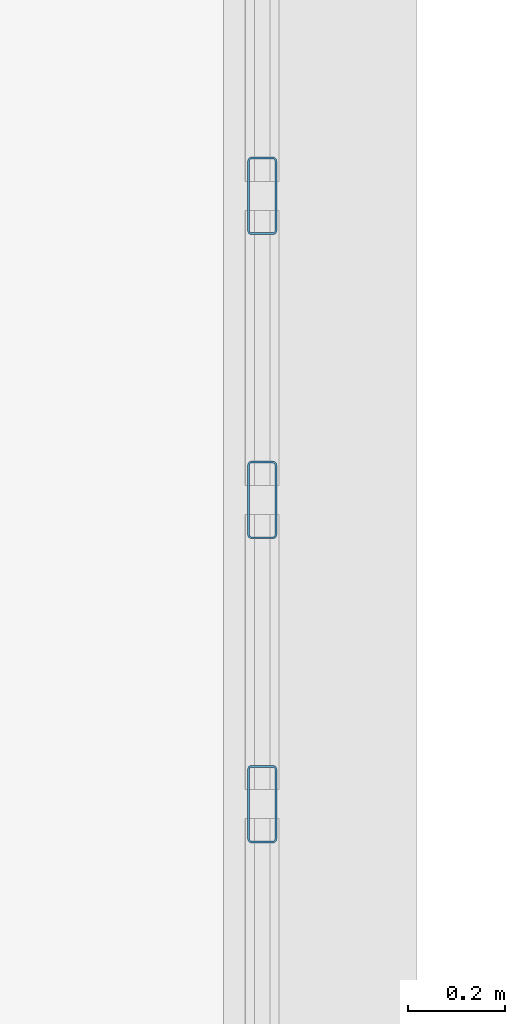
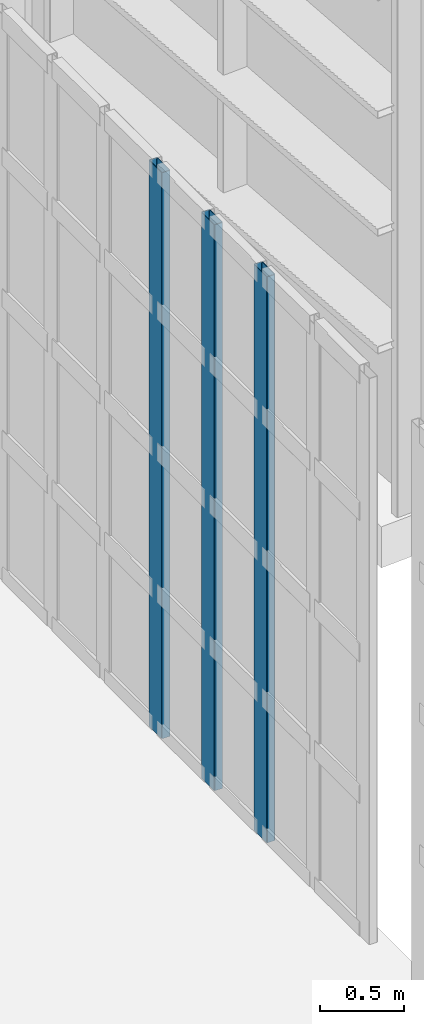
# One storey, part 186 of 372: 3 members, 1 element without a shape of its own.
"""IFC4 building model written with IfcOpenShell, lengths in metres."""

import ifcopenshell
import ifcopenshell.guid

model = None  # the IFC model being written
_history = None  # IfcOwnerHistory: only IFC2X3 demands one
_inside = {}  # id of a spatial element -> (the spatial element, [elements in it])
_under = {}  # id of a project, library or spatial element -> (it, [spatial elements below it])
_declared = {}  # id of a project -> (the project, [libraries it declares])
_typed = {}  # id of a type object -> (the type object, [elements of that type])
_made_of = {}  # id of a material, layer set ... -> (it, [elements and type objects made of it])


def new_model(schema):
    """Start an empty IFC model of exactly this schema.

    Asked for "IFC4X3", IfcOpenShell would pick the latest addendum, in which some entities
    have other attributes; the version numbers below select the first issue.
    IFC2X3 requires an IfcOwnerHistory on every rooted entity: one is made here for all.
    """
    global model, _history
    if schema == "IFC4X3":
        model = ifcopenshell.file(schema_version=(4, 3, 0, 0))
    else:
        model = ifcopenshell.file(schema=schema)
    _inside.clear()
    _under.clear()
    _declared.clear()
    _typed.clear()
    _made_of.clear()
    _history = None
    if model.schema == "IFC2X3":
        org = make("IfcOrganization", Name="unknown")
        user = make(
            "IfcPersonAndOrganization",
            ThePerson=make("IfcPerson", FamilyName="unknown"),
            TheOrganization=org,
        )
        app = make(
            "IfcApplication",
            ApplicationDeveloper=org,
            Version="unknown",
            ApplicationFullName="unknown",
            ApplicationIdentifier="unknown",
        )
        _history = make(
            "IfcOwnerHistory",
            OwningUser=user,
            OwningApplication=app,
            ChangeAction="ADDED",
            CreationDate=0,
        )
    return model


def make(cls, **values):
    """One entity of the class cls with the attributes given. An attribute that is None is left unset."""
    return model.create_entity(
        cls, **{name: value for name, value in values.items() if value is not None}
    )


def rooted(cls, **values):
    """An entity with a GlobalId (a new one), such as an element, a storey or a relation."""
    return make(cls, GlobalId=ifcopenshell.guid.new(), OwnerHistory=_history, **values)


def si_unit(unit_type, name, prefix=None):
    """IfcSIUnit, for example si_unit("LENGTHUNIT", "METRE", prefix="MILLI")."""
    return make("IfcSIUnit", UnitType=unit_type, Prefix=prefix, Name=name)


def assignment(units):
    """IfcUnitAssignment: the units of a project."""
    return None if units is None else make("IfcUnitAssignment", Units=units)


def point(xyz):
    """IfcCartesianPoint."""
    return None if xyz is None else make("IfcCartesianPoint", Coordinates=xyz)


def direction(xyz):
    """IfcDirection."""
    return None if xyz is None else make("IfcDirection", DirectionRatios=xyz)


def frame(location, z_axis=None, x_axis=None):
    """IfcAxis2Placement3D, a coordinate frame: its origin and axes. An axis left out is left unset."""
    return make(
        "IfcAxis2Placement3D",
        Location=point(location),
        Axis=direction(z_axis),
        RefDirection=direction(x_axis),
    )


def frame_2d(location, x_axis=None):
    """IfcAxis2Placement2D, a coordinate frame in the plane: its origin and x axis."""
    return make(
        "IfcAxis2Placement2D", Location=point(location), RefDirection=direction(x_axis)
    )


def origin():
    """The frame at (0, 0, 0) with its axes left unset."""
    return frame((0.0, 0.0, 0.0))


def origin_2d():
    """The frame at (0, 0) in the plane with its x axis left unset."""
    return frame_2d((0.0, 0.0))


def place(relative_to, where):
    """IfcLocalPlacement: puts the frame where relative to a parent placement (None: the world)."""
    return make(
        "IfcLocalPlacement", PlacementRelTo=relative_to, RelativePlacement=where
    )


def context(
    kind, dimensions, precision=None, world=None, true_north=None, identifier=None
):
    """IfcGeometricRepresentationContext, for example the 3D "Model" context."""
    return make(
        "IfcGeometricRepresentationContext",
        ContextIdentifier=identifier,
        ContextType=kind,
        CoordinateSpaceDimension=dimensions,
        Precision=precision,
        WorldCoordinateSystem=world,
        TrueNorth=true_north,
    )


def subcontext(parent, identifier, kind, view, scale=None):
    """IfcGeometricRepresentationSubContext, for example "Body" below "Model"."""
    return make(
        "IfcGeometricRepresentationSubContext",
        ContextIdentifier=identifier,
        ContextType=kind,
        ParentContext=parent,
        TargetScale=scale,
        TargetView=view,
    )


def project(units=None, contexts=None):
    """IfcProject with its units and contexts."""
    return rooted(
        "IfcProject",
        Name="project",
        RepresentationContexts=contexts,
        UnitsInContext=assignment(units),
    )


def spatial(cls, under=None, at=None, **own):
    """A site, building, storey or space (cls), placed at a placement, below another one or the project."""
    s = rooted(cls, ObjectPlacement=at, **own)
    if under is not None:
        _under.setdefault(under.id(), (under, []))[1].append(s)
    return s


def profile(cls, at=None, kind="AREA", **sizes):
    """A parametric profile (cls). Its sizes go by their IFC names, for example OverallWidth=200.0."""
    return make(cls, ProfileType=kind, Position=at, **sizes)


def hollow_rectangle(**sizes):
    """IfcRectangleHollowProfileDef."""
    return profile("IfcRectangleHollowProfileDef", **sizes)


def extrude(swept, where, along, depth):
    """IfcExtrudedAreaSolid: the profile swept, set in the frame where, extruded along a direction by depth."""
    return make(
        "IfcExtrudedAreaSolid",
        SweptArea=swept,
        Position=where,
        ExtrudedDirection=direction(along),
        Depth=depth,
    )


def shape(context_of_items, identifier, shape_type, items):
    """IfcShapeRepresentation: the items that make up one representation, for example the "Body"."""
    return make(
        "IfcShapeRepresentation",
        ContextOfItems=context_of_items,
        RepresentationIdentifier=identifier,
        RepresentationType=shape_type,
        Items=items,
    )


def material(Name=None, Category=None):
    """IfcMaterial."""
    return make("IfcMaterial", Name=Name, Category=Category)


def material_profile(
    of_material, cross_section, Name=None, Category=None, Priority=None
):
    """IfcMaterialProfile: a cross section and its material."""
    return make(
        "IfcMaterialProfile",
        Name=Name,
        Material=of_material,
        Profile=cross_section,
        Priority=Priority,
        Category=Category,
    )


def profile_set(profiles, Name=None, composite=None):
    """IfcMaterialProfileSet."""
    return make(
        "IfcMaterialProfileSet",
        Name=Name,
        MaterialProfiles=profiles,
        CompositeProfile=composite,
    )


def made_of(thing, what):
    """Note that an element or type object is made of a material, layer set ...; save() writes the relation."""
    if what is not None:
        _made_of.setdefault(what.id(), (what, []))[1].append(thing)
    return thing


def type_object(cls, material=None, **own):
    """A type object (cls), such as IfcWallType, which elements share."""
    return made_of(rooted(cls, **own), material)


def element(
    cls,
    number,
    at=None,
    inside=None,
    cuts=None,
    type_object=None,
    material=None,
    context=None,
    identifier="Body",
    shape_type=None,
    held_by="IfcProductDefinitionShape",
    body=None,
    shapes=None,
    **own,
):
    """One element of the class cls, such as IfcWall. Its Tag is "e" and its number.

    at: its placement. inside: the storey or other place that contains it. cuts: it is an
    opening in that element (IfcRelVoidsElement). A single representation is given by context,
    identifier, shape_type and body (its items); several are given by shapes. held_by: the class
    of the entity that holds the representations. save() writes the other relations.
    """
    e = rooted(cls, Tag="e%d" % number, ObjectPlacement=at, **own)
    if body is not None:
        shapes = [shape(context, identifier, shape_type, body)]
    if shapes is not None:
        e.Representation = make(held_by, Representations=shapes)
    if inside is not None:
        _inside.setdefault(inside.id(), (inside, []))[1].append(e)
    if cuts is not None:
        rooted(
            "IfcRelVoidsElement", RelatingBuildingElement=cuts, RelatedOpeningElement=e
        )
    if type_object is not None:
        _typed.setdefault(type_object.id(), (type_object, []))[1].append(e)
    return made_of(e, material)


def aggregate(whole, parts):
    """IfcRelAggregates: a whole, such as a stair, and the parts it consists of."""
    return rooted("IfcRelAggregates", RelatingObject=whole, RelatedObjects=parts)


def save(model, path):
    """Write the relations noted so far, then the file.

    IfcRelAggregates (storeys below a building ...), IfcRelContainedInSpatialStructure (elements
    in a storey), IfcRelDefinesByType, IfcRelAssociatesMaterial and IfcRelDeclares: one each for
    every whole, place, type object, material and project.
    """
    for whole, parts in _under.values():
        aggregate(whole, parts)
    for where, things in _inside.values():
        rooted(
            "IfcRelContainedInSpatialStructure",
            RelatedElements=things,
            RelatingStructure=where,
        )
    for kind, things in _typed.values():
        rooted("IfcRelDefinesByType", RelatedObjects=things, RelatingType=kind)
    for what, things in _made_of.values():
        rooted("IfcRelAssociatesMaterial", RelatedObjects=things, RelatingMaterial=what)
    for by, libraries in _declared.values():
        rooted("IfcRelDeclares", RelatingContext=by, RelatedDefinitions=libraries)
    model.write(path)


model = new_model("IFC4")

# Units and contexts
model_context = context("Model", 3, precision=1e-05, world=origin(), true_north=direction((0.0, 1.0)))
body_context = subcontext(model_context, "Body", "Model", "MODEL_VIEW")
ifc_project = project(units=[si_unit("LENGTHUNIT", "METRE"), si_unit("AREAUNIT", "SQUARE_METRE"), si_unit("VOLUMEUNIT", "CUBIC_METRE"), si_unit("PLANEANGLEUNIT", "RADIAN"), si_unit("MASSUNIT", "GRAM", prefix="KILO")], contexts=[model_context])

# Site, building, storey
site_placement = place(None, origin())
site = spatial("IfcSite", under=ifc_project, at=site_placement, CompositionType="ELEMENT")
building_placement = place(site_placement, origin())
building = spatial("IfcBuilding", under=site, at=building_placement, Name="Kaelora Sail Theatre", CompositionType="ELEMENT")
storey_placement = place(building_placement, origin())
storey = spatial("IfcBuildingStorey", under=building, at=storey_placement, Name="L00", CompositionType="ELEMENT", Elevation=0.0)

# Curtain wall, members
ifc_material_1 = material(Name="Anodised aluminium and solar-control low-E IGU", Category="aluminium")
curtain_wall_type = type_object("IfcCurtainWallType", Name="ARC-CW-CW-FOY1", PredefinedType="NOTDEFINED", material=ifc_material_1)
curtain_wall_placement = place(storey_placement, origin())
curtain_wall = element("IfcCurtainWall", 1, at=curtain_wall_placement, inside=storey, type_object=curtain_wall_type, Name="West Interstitial Foyer East Glazed Return L00-03", PredefinedType="NOTDEFINED")
ifc_material_2 = material(Name="Anodised aluminium 6063-T6", Category="aluminium")
ifc_material_profile = material_profile(ifc_material_2, hollow_rectangle(XDim=0.06005859375, YDim=0.159912109375, WallThickness=0.00390625, InnerFilletRadius=0.00390625, OuterFilletRadius=0.008056640625, at=origin_2d()), Name="ALU-MULL 60x160x4")
ifc_profile_set = profile_set([ifc_material_profile], Name="Anodised aluminium 6063-T6")
member_type = type_object("IfcMemberType", Name="ARC-MEM-ML-160", PredefinedType="MULLION", material=ifc_profile_set)
member_1_placement = place(storey_placement, frame((74.280029296875, 49.855712890625, 0.0), z_axis=(0.0, 0.0, 1.0), x_axis=(-1.0, 0.0, 0.0)))
member_1 = element("IfcMember", 2, at=member_1_placement, type_object=member_type, Name="CW-FOY1 mullion 3", PredefinedType="MULLION", context=body_context, shape_type="SweptSolid", body=[
    extrude(hollow_rectangle(XDim=0.06005859375, YDim=0.159912109375, WallThickness=0.00390625, InnerFilletRadius=0.00390625, OuterFilletRadius=0.008056640625, at=origin_2d()), origin(), (0.0, 0.0, 1.0), 4.136962890625),
])
member_2_placement = place(storey_placement, frame((74.280029296875, 50.483642578125, 0.0), z_axis=(0.0, 0.0, 1.0), x_axis=(-1.0, 0.0, 0.0)))
member_2 = element("IfcMember", 3, at=member_2_placement, type_object=member_type, Name="CW-FOY1 mullion 4", PredefinedType="MULLION", context=body_context, shape_type="SweptSolid", body=[
    extrude(hollow_rectangle(XDim=0.06005859375, YDim=0.159912109375, WallThickness=0.00390625, InnerFilletRadius=0.00390625, OuterFilletRadius=0.008056640625, at=origin_2d()), origin(), (0.0, 0.0, 1.0), 4.136962890625),
])
member_3_placement = place(storey_placement, frame((74.280029296875, 51.111328125, 0.0), z_axis=(0.0, 0.0, 1.0), x_axis=(-1.0, 0.0, 0.0)))
member_3 = element("IfcMember", 4, at=member_3_placement, type_object=member_type, Name="CW-FOY1 mullion 5", PredefinedType="MULLION", context=body_context, shape_type="SweptSolid", body=[
    extrude(hollow_rectangle(XDim=0.06005859375, YDim=0.159912109375, WallThickness=0.00390625, InnerFilletRadius=0.00390625, OuterFilletRadius=0.008056640625, at=origin_2d()), origin(), (0.0, 0.0, 1.0), 4.136962890625),
])
aggregate(curtain_wall, [member_1, member_2, member_3])

save(model, "model.ifc")
